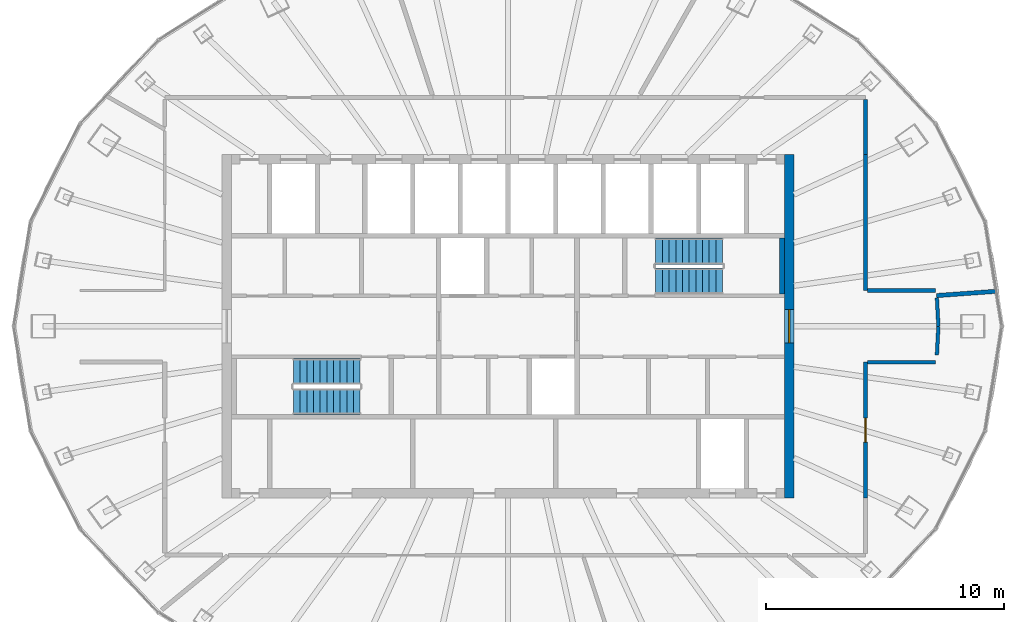
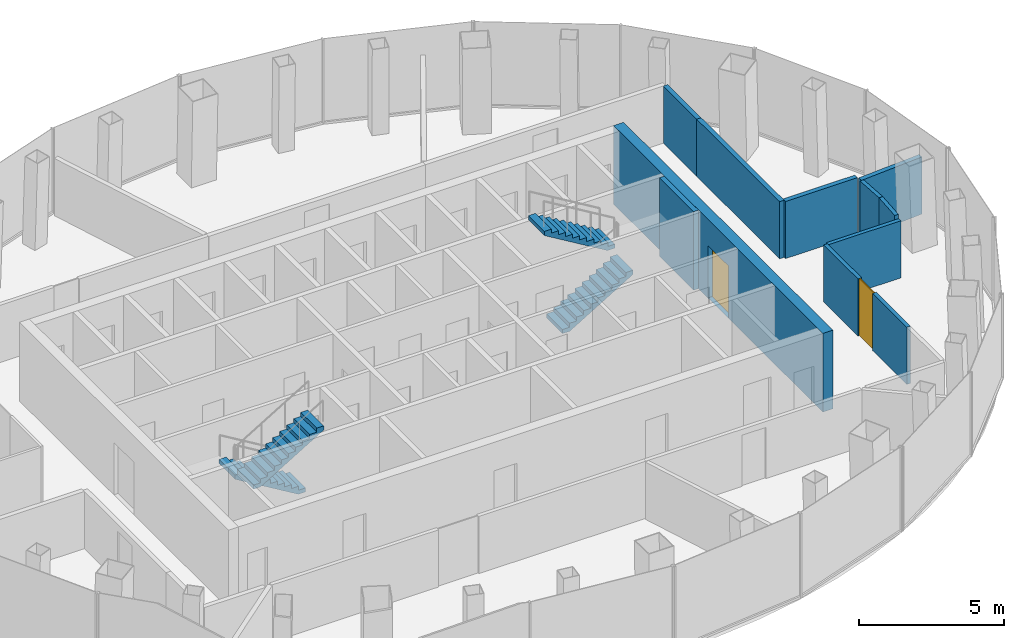
# One storey, part 10 of 11: 10 walls, 4 stair flights, 2 doors, 2 openings, 2 elements without a shape of their own.
"""IFC4 building model written with IfcOpenShell, lengths in metres."""

from ifc_helpers import new_model, si_unit, direction, frame, frame_2d, origin, place, context, subcontext, project, spatial, polyline, rectangle, outline, extrude, material, layer, layer_set, type_object, element, fill, aggregate, save


model = new_model("IFC4")

# Units and contexts
model_context = context("Model", 3, precision=1e-05, world=origin(), true_north=direction((0.0, 1.0)))
body_context = subcontext(model_context, "Body", "Model", "MODEL_VIEW")
ifc_project = project(units=[si_unit("LENGTHUNIT", "METRE"), si_unit("AREAUNIT", "SQUARE_METRE"), si_unit("VOLUMEUNIT", "CUBIC_METRE"), si_unit("PLANEANGLEUNIT", "RADIAN"), si_unit("MASSUNIT", "GRAM", prefix="KILO")], contexts=[model_context])

# Site, building, storey
site_placement = place(None, origin())
site = spatial("IfcSite", under=ifc_project, at=site_placement, CompositionType="ELEMENT")
building_placement = place(site_placement, origin())
building = spatial("IfcBuilding", under=site, at=building_placement, Name="Siaravel Broadcast Tower", CompositionType="ELEMENT")
storey_placement = place(building_placement, frame((0.0, 0.0, 257.800048828125)))
storey = spatial("IfcBuildingStorey", under=building, at=storey_placement, Name="L63", CompositionType="ELEMENT", Elevation=257.800048828125)

# Wall, opening, door
ifc_material_1 = material(Name="Concrete C60/75", Category="concrete")
ifc_layer_1 = layer(ifc_material_1, 0.39990234375)
ifc_layer_set_1 = layer_set([ifc_layer_1], Name="Concrete C60/75")
wall_type_1 = type_object("IfcWallType", Name="Core wall 400", PredefinedType="SHEAR", material=ifc_layer_set_1)
wall_1_placement = place(storey_placement, frame((11.800048828125, -7.199951171875, 0.0), z_axis=(0.0, 0.0, 1.0), x_axis=(0.0, 1.0, 0.0)))
wall_1 = element("IfcWall", 1, at=wall_1_placement, inside=storey, type_object=wall_type_1, Name="L63 core wall OE", PredefinedType="SHEAR", context=body_context, shape_type="SweptSolid", body=[
    extrude(rectangle(XDim=14.39990234375, YDim=0.39990234375, at=frame_2d((7.199951171875, 0.0))), origin(), (0.0, 0.0, 1.0), 3.300048828125),
])
opening_1_placement = place(wall_1_placement, frame((6.5, 0.0, 0.0)))
opening_1 = element("IfcOpeningElement", 2, at=opening_1_placement, cuts=wall_1, Name="Opening L63-DX-E", PredefinedType="OPENING", context=body_context, shape_type="SweptSolid", body=[
    extrude(rectangle(XDim=1.39990234375, YDim=2.199951171875, at=frame_2d((0.699951171875, 1.10009765625))), frame((0.0, 0.2099609375, 0.0), z_axis=(0.0, -1.0, 0.0), x_axis=(1.0, 0.0, 0.0)), (0.0, 0.0, 1.0), 0.419921875),
])
ifc_material_2 = material(Name="Steel", Category="steel")
door_type_1 = type_object("IfcDoorType", Name="Core exit door 1400", OperationType="DOUBLE_DOOR_SINGLE_SWING", PredefinedType="DOOR", material=ifc_material_2)
door_1_placement = place(opening_1_placement, origin())
door_1 = element("IfcDoor", 3, at=door_1_placement, inside=storey, type_object=door_type_1, Name="L63 door DX-E", OperationType="DOUBLE_DOOR_SINGLE_SWING", OverallHeight=2.199951171875, OverallWidth=1.39990234375, PredefinedType="DOOR", context=body_context, shape_type="SweptSolid", body=[
    extrude(rectangle(XDim=1.39990234375, YDim=2.199951171875, at=frame_2d((0.699951171875, 1.10009765625))), frame((0.0, 0.02490234375, 0.0), z_axis=(0.0, -1.0, 0.0), x_axis=(1.0, 0.0, 0.0)), (0.0, 0.0, 1.0), 0.050048828125),
])
fill(opening_1, door_1)

ifc_material_3 = material(Name="Gypsum board partition", Category="gypsum")
ifc_layer_2 = layer(ifc_material_3, 0.14990234375)
ifc_layer_set_2 = layer_set([ifc_layer_2], Name="Gypsum board partition")
wall_type_2 = type_object("IfcWallType", Name="Corridor wall 150", PredefinedType="PARTITIONING", material=ifc_layer_set_2)
wall_2_placement = place(storey_placement, frame((15.001953125, -7.2119140625, 0.0), z_axis=(0.0, 0.0, 1.0), x_axis=(-0.000341939, 0.999999942, 0.0)))
wall_2 = element("IfcWall", 4, at=wall_2_placement, inside=storey, type_object=wall_type_2, Name="L63 partition 12", PredefinedType="PARTITIONING", context=body_context, shape_type="SweptSolid", body=[
    extrude(rectangle(XDim=5.7119140625, YDim=0.14990234375, at=frame_2d((2.85595703125, 0.0))), origin(), (0.0, 0.0, 1.0), 2.39990234375),
])
opening_2_placement = place(wall_2_placement, frame((2.35595703125, 0.0, 0.0)))
opening_2 = element("IfcOpeningElement", 5, at=opening_2_placement, cuts=wall_2, Name="Opening L63-004", PredefinedType="OPENING", context=body_context, shape_type="SweptSolid", body=[
    extrude(rectangle(XDim=1.0, YDim=2.39990234375, at=frame_2d((0.5, 1.199951171875))), frame((0.0, 0.0849609375, 0.0), z_axis=(0.0, -1.0, 0.0), x_axis=(1.0, 0.0, 0.0)), (0.0, 0.0, 1.0), 0.169921875),
])
ifc_material_4 = material(Name="Timber veneer", Category="wood")
door_type_2 = type_object("IfcDoorType", Name="Executive office door 1000", OperationType="SINGLE_SWING_LEFT", PredefinedType="DOOR", material=ifc_material_4)
door_2_placement = place(opening_2_placement, origin())
door_2 = element("IfcDoor", 6, at=door_2_placement, inside=storey, type_object=door_type_2, Name="L63 door to Executive office", OperationType="SINGLE_SWING_RIGHT", OverallHeight=2.39990234375, OverallWidth=1.0, PredefinedType="DOOR", context=body_context, shape_type="SweptSolid", body=[
    extrude(rectangle(XDim=1.0, YDim=2.39990234375, at=frame_2d((0.5, 1.199951171875))), frame((0.0, 0.02490234375, 0.0), z_axis=(0.0, -1.0, 0.0), x_axis=(1.0, 0.0, 0.0)), (0.0, 0.0, 1.0), 0.050048828125),
])
fill(opening_2, door_2)

# Walls
wall_3_placement = place(storey_placement, frame((15.076904296875, -1.5, 0.0), z_axis=(0.0, 0.0, 1.0), x_axis=(1.0, 0.0, 0.0)))
element("IfcWall", 7, at=wall_3_placement, inside=storey, type_object=wall_type_2, Name="L63 partition 18", PredefinedType="PARTITIONING", context=body_context, shape_type="SweptSolid", body=[
    extrude(rectangle(XDim=2.870849609375, YDim=0.14990234375, at=frame_2d((1.435546875, 0.0))), origin(), (0.0, 0.0, 1.0), 2.39990234375),
])
wall_4_placement = place(storey_placement, frame((18.06005859375, 0.0, 0.0), z_axis=(0.0, 0.0, 1.0), x_axis=(-0.053146642, 0.998586719, 0.0)))
element("IfcWall", 8, at=wall_4_placement, inside=storey, type_object=wall_type_2, Name="L63 partition 27", PredefinedType="PARTITIONING", context=body_context, shape_type="SweptSolid", body=[
    extrude(rectangle(XDim=1.198974609375, YDim=0.14990234375, at=frame_2d((0.599609375, 0.0))), origin(), (0.0, 0.0, 1.0), 2.39990234375),
])
wall_5_placement = place(storey_placement, frame((17.99609375, -1.1982421875, 0.0), z_axis=(0.0, 0.0, 1.0), x_axis=(0.053344935, 0.998576145, 0.0)))
element("IfcWall", 9, at=wall_5_placement, inside=storey, type_object=wall_type_2, Name="L63 partition 28", PredefinedType="PARTITIONING", context=body_context, shape_type="SweptSolid", body=[
    extrude(rectangle(XDim=1.18994140625, YDim=0.14990234375, at=frame_2d((0.594970703125, 0.0))), origin(), (0.0, 0.0, 1.0), 2.39990234375),
])
ifc_material_5 = material(Name="Concrete blockwork", Category="masonry")
ifc_layer_3 = layer(ifc_material_5, 0.179931640625)
ifc_layer_set_3 = layer_set([ifc_layer_3], Name="Concrete blockwork")
wall_type_3 = type_object("IfcWallType", Name="Service room fire partition 180", PredefinedType="PARTITIONING", material=ifc_layer_set_3)
wall_6_placement = place(storey_placement, frame((15.0, 1.5, 0.0), z_axis=(0.0, 0.0, 1.0), x_axis=(0.0, 1.0, 0.0)))
element("IfcWall", 10, at=wall_6_placement, inside=storey, type_object=wall_type_3, Name="L63 partition 11", PredefinedType="PARTITIONING", context=body_context, shape_type="SweptSolid", body=[
    extrude(rectangle(XDim=5.7119140625, YDim=0.179931640625, at=frame_2d((2.85595703125, 0.0))), origin(), (0.0, 0.0, 1.0), 2.39990234375),
])
wall_7_placement = place(storey_placement, frame((17.94775390625, 1.5, 0.0), z_axis=(0.0, 0.0, 1.0), x_axis=(-1.0, 0.0, 0.0)))
element("IfcWall", 11, at=wall_7_placement, inside=storey, type_object=wall_type_3, Name="L63 partition 19", PredefinedType="PARTITIONING", context=body_context, shape_type="SweptSolid", body=[
    extrude(rectangle(XDim=2.855712890625, YDim=0.179931640625, at=frame_2d((1.427734375, 0.0))), origin(), (0.0, 0.0, 1.0), 2.39990234375),
])
wall_8_placement = place(storey_placement, frame((20.48486328125, 1.468017578125, 0.0), z_axis=(0.0, 0.0, 1.0), x_axis=(-0.997440396, -0.071502847, 0.0)))
element("IfcWall", 12, at=wall_8_placement, inside=storey, type_object=wall_type_3, Name="L63 partition 22", PredefinedType="PARTITIONING", context=body_context, shape_type="SweptSolid", body=[
    extrude(rectangle(XDim=2.509521484375, YDim=0.179931640625, at=frame_2d((1.2548828125, 0.0))), origin(), (0.0, 0.0, 1.0), 2.39990234375),
])
wall_9_placement = place(storey_placement, frame((15.0, 7.212890625, 0.0), z_axis=(0.0, 0.0, 1.0), x_axis=(0.0, 1.0, 0.0)))
element("IfcWall", 13, at=wall_9_placement, inside=storey, type_object=wall_type_3, Name="L63 partition 25", PredefinedType="PARTITIONING", context=body_context, shape_type="SweptSolid", body=[
    extrude(rectangle(XDim=2.295166015625, YDim=0.179931640625, at=frame_2d((1.1474609375, 0.0))), origin(), (0.0, 0.0, 1.0), 2.39990234375),
])
ifc_layer_4 = layer(ifc_material_1, 0.199951171875)
ifc_layer_set_4 = layer_set([ifc_layer_4], Name="Concrete C60/75")
wall_type_4 = type_object("IfcWallType", Name="Shaft wall 200", PredefinedType="SHEAR", material=ifc_layer_set_4)
wall_10_placement = place(storey_placement, frame((11.5, 1.35009765625, 0.0), z_axis=(0.0, 0.0, 1.0), x_axis=(0.0, 1.0, 0.0)))
element("IfcWall", 14, at=wall_10_placement, inside=storey, type_object=wall_type_4, Name="L63 core wall ST2E", PredefinedType="SHEAR", context=body_context, shape_type="SweptSolid", body=[
    extrude(rectangle(XDim=2.349853515625, YDim=0.199951171875, at=frame_2d((1.1748046875, 0.0))), origin(), (0.0, 0.0, 1.0), 3.300048828125),
])

# Stair, stair flights
ifc_material_6 = material(Name="Concrete C40/50", Category="concrete")
stair_type = type_object("IfcStairType", Name="Core exit stair", PredefinedType="HALF_TURN_STAIR", material=ifc_material_6)
stair_1_placement = place(storey_placement, origin())
stair_1 = element("IfcStair", 15, at=stair_1_placement, inside=storey, type_object=stair_type, Name="L63 Exit stair ST-1", PredefinedType="HALF_TURN_STAIR")
stair_flight_type = type_object("IfcStairFlightType", Name="Stair flight 1100", PredefinedType="STRAIGHT", material=ifc_material_6)
stair_flight_1_placement = place(storey_placement, frame((-6.199951171875, -1.89990234375, 0.0), z_axis=(0.0, 0.0, 1.0), x_axis=(-1.0, 0.0, 0.0)))
stair_flight_1 = element("IfcStairFlight", 16, at=stair_flight_1_placement, type_object=stair_flight_type, Name="ST-1 flight 1", NumberOfRisers=11, NumberOfTreads=10, PredefinedType="STRAIGHT", RiserHeight=0.1681818, TreadLength=0.28, context=body_context, shape_type="SweptSolid", body=[
    extrude(outline(polyline([(0.0, 0.0), (0.0, 0.168212890625), (0.280029296875, 0.168212890625), (0.280029296875, 0.33642578125), (0.56005859375, 0.33642578125), (0.56005859375, 0.504638671875), (0.840087890625, 0.504638671875), (0.840087890625, 0.672607421875), (1.1201171875, 0.672607421875), (1.1201171875, 0.8408203125), (1.39990234375, 0.8408203125), (1.39990234375, 1.009033203125), (1.679931640625, 1.009033203125), (1.679931640625, 1.17724609375), (1.9599609375, 1.17724609375), (1.9599609375, 1.345458984375), (2.239990234375, 1.345458984375), (2.239990234375, 1.513671875), (2.52001953125, 1.513671875), (2.52001953125, 1.681884765625), (2.800048828125, 1.681884765625), (2.800048828125, 1.85009765625), (2.800048828125, 1.5068359375), (0.291015625, 0.0), (0.0, 0.0)])), frame((0.0, 0.550048828125, 0.0), z_axis=(0.0, -1.0, 0.0), x_axis=(1.0, 0.0, 0.0)), (0.0, 0.0, 1.0), 1.10009765625),
])
stair_flight_2_placement = place(storey_placement, frame((-9.0, -3.14990234375, 1.849853515625), z_axis=(0.0, 0.0, 1.0), x_axis=(1.0, 0.0, 0.0)))
stair_flight_2 = element("IfcStairFlight", 17, at=stair_flight_2_placement, type_object=stair_flight_type, Name="ST-1 flight 2", NumberOfRisers=11, NumberOfTreads=10, PredefinedType="STRAIGHT", RiserHeight=0.1681818, TreadLength=0.28, context=body_context, shape_type="SweptSolid", body=[
    extrude(outline(polyline([(0.0, 0.0), (0.0, 0.168212890625), (0.280029296875, 0.168212890625), (0.280029296875, 0.33642578125), (0.56005859375, 0.33642578125), (0.56005859375, 0.504638671875), (0.840087890625, 0.504638671875), (0.840087890625, 0.672607421875), (1.1201171875, 0.672607421875), (1.1201171875, 0.8408203125), (1.39990234375, 0.8408203125), (1.39990234375, 1.009033203125), (1.679931640625, 1.009033203125), (1.679931640625, 1.17724609375), (1.9599609375, 1.17724609375), (1.9599609375, 1.345458984375), (2.239990234375, 1.345458984375), (2.239990234375, 1.513671875), (2.52001953125, 1.513671875), (2.52001953125, 1.681884765625), (2.800048828125, 1.681884765625), (2.800048828125, 1.85009765625), (2.800048828125, 1.5068359375), (0.291015625, 0.0), (0.0, 0.0)])), frame((0.0, 0.550048828125, 0.0), z_axis=(0.0, -1.0, 0.0), x_axis=(1.0, 0.0, 0.0)), (0.0, 0.0, 1.0), 1.10009765625),
])
aggregate(stair_1, [stair_flight_1, stair_flight_2])

stair_2_placement = place(storey_placement, origin())
stair_2 = element("IfcStair", 18, at=stair_2_placement, inside=storey, type_object=stair_type, Name="L63 Exit stair ST-2", PredefinedType="HALF_TURN_STAIR")
stair_flight_3_placement = place(storey_placement, frame((6.199951171875, 1.89990234375, 0.0), z_axis=(0.0, 0.0, 1.0), x_axis=(1.0, 0.0, 0.0)))
stair_flight_3 = element("IfcStairFlight", 19, at=stair_flight_3_placement, type_object=stair_flight_type, Name="ST-2 flight 1", NumberOfRisers=11, NumberOfTreads=10, PredefinedType="STRAIGHT", RiserHeight=0.1681818, TreadLength=0.28, context=body_context, shape_type="SweptSolid", body=[
    extrude(outline(polyline([(0.0, 0.0), (0.0, 0.168212890625), (0.280029296875, 0.168212890625), (0.280029296875, 0.33642578125), (0.56005859375, 0.33642578125), (0.56005859375, 0.504638671875), (0.840087890625, 0.504638671875), (0.840087890625, 0.672607421875), (1.1201171875, 0.672607421875), (1.1201171875, 0.8408203125), (1.39990234375, 0.8408203125), (1.39990234375, 1.009033203125), (1.679931640625, 1.009033203125), (1.679931640625, 1.17724609375), (1.9599609375, 1.17724609375), (1.9599609375, 1.345458984375), (2.239990234375, 1.345458984375), (2.239990234375, 1.513671875), (2.52001953125, 1.513671875), (2.52001953125, 1.681884765625), (2.800048828125, 1.681884765625), (2.800048828125, 1.85009765625), (2.800048828125, 1.5068359375), (0.291015625, 0.0), (0.0, 0.0)])), frame((0.0, 0.550048828125, 0.0), z_axis=(0.0, -1.0, 0.0), x_axis=(1.0, 0.0, 0.0)), (0.0, 0.0, 1.0), 1.10009765625),
])
stair_flight_4_placement = place(storey_placement, frame((9.0, 3.14990234375, 1.849853515625), z_axis=(0.0, 0.0, 1.0), x_axis=(-1.0, 0.0, 0.0)))
stair_flight_4 = element("IfcStairFlight", 20, at=stair_flight_4_placement, type_object=stair_flight_type, Name="ST-2 flight 2", NumberOfRisers=11, NumberOfTreads=10, PredefinedType="STRAIGHT", RiserHeight=0.1681818, TreadLength=0.28, context=body_context, shape_type="SweptSolid", body=[
    extrude(outline(polyline([(0.0, 0.0), (0.0, 0.168212890625), (0.280029296875, 0.168212890625), (0.280029296875, 0.33642578125), (0.56005859375, 0.33642578125), (0.56005859375, 0.504638671875), (0.840087890625, 0.504638671875), (0.840087890625, 0.672607421875), (1.1201171875, 0.672607421875), (1.1201171875, 0.8408203125), (1.39990234375, 0.8408203125), (1.39990234375, 1.009033203125), (1.679931640625, 1.009033203125), (1.679931640625, 1.17724609375), (1.9599609375, 1.17724609375), (1.9599609375, 1.345458984375), (2.239990234375, 1.345458984375), (2.239990234375, 1.513671875), (2.52001953125, 1.513671875), (2.52001953125, 1.681884765625), (2.800048828125, 1.681884765625), (2.800048828125, 1.85009765625), (2.800048828125, 1.5068359375), (0.291015625, 0.0), (0.0, 0.0)])), frame((0.0, 0.550048828125, 0.0), z_axis=(0.0, -1.0, 0.0), x_axis=(1.0, 0.0, 0.0)), (0.0, 0.0, 1.0), 1.10009765625),
])
aggregate(stair_2, [stair_flight_3, stair_flight_4])

save(model, "model.ifc")
